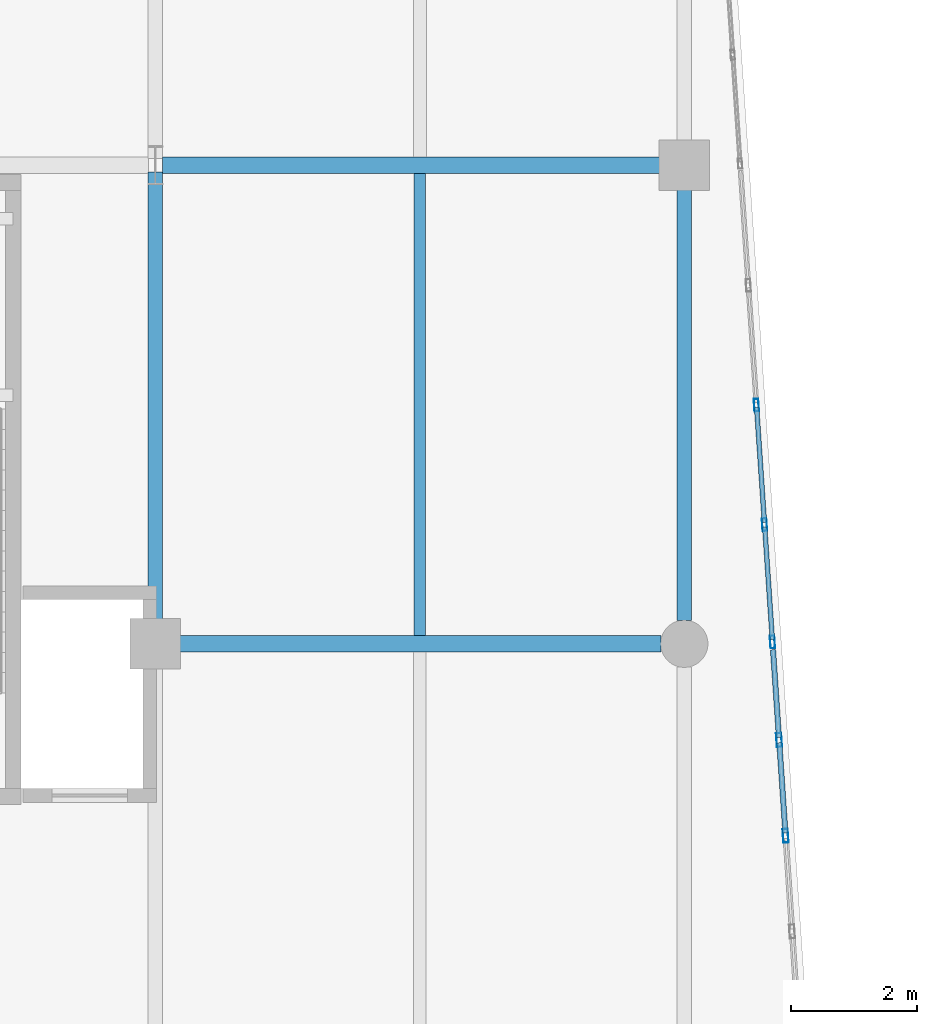
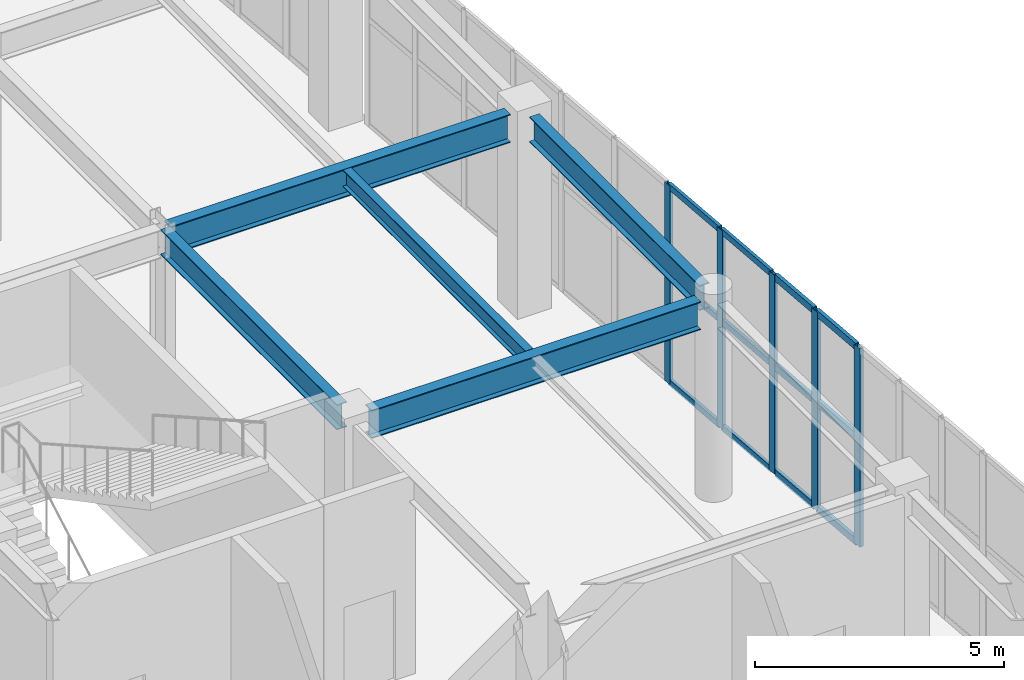
# One storey, part 51 of 128: 17 members, 5 beams, 2 elements without a shape of their own.
"""IFC4 building model written with IfcOpenShell, lengths in metres."""

from ifc_helpers import new_model, si_unit, direction, frame, origin, origin_2d, place, context, subcontext, project, spatial, hollow_rectangle, i_section, extrude, material, layer, layer_set, material_profile, profile_set, type_object, element, aggregate, save


model = new_model("IFC4")

# Units and contexts
model_context = context("Model", 3, precision=1e-05, world=origin(), true_north=direction((0.0, 1.0)))
body_context = subcontext(model_context, "Body", "Model", "MODEL_VIEW")
ifc_project = project(units=[si_unit("LENGTHUNIT", "METRE"), si_unit("AREAUNIT", "SQUARE_METRE"), si_unit("VOLUMEUNIT", "CUBIC_METRE"), si_unit("PLANEANGLEUNIT", "RADIAN"), si_unit("MASSUNIT", "GRAM", prefix="KILO")], contexts=[model_context])

# Site, building, storey
site_placement = place(None, origin())
site = spatial("IfcSite", under=ifc_project, at=site_placement, CompositionType="ELEMENT")
building_placement = place(site_placement, origin())
building = spatial("IfcBuilding", under=site, at=building_placement, Name="Xicomal Pleat Aquarium", CompositionType="ELEMENT")
storey_placement = place(building_placement, frame((0.0, 0.0, 5.39990234375)))
storey = spatial("IfcBuildingStorey", under=building, at=storey_placement, Name="L02", CompositionType="ELEMENT", Elevation=5.39990234375)

# Beams
ifc_material_1 = material(Name="Structural steel A992 Gr 50", Category="steel")
ifc_material_profile_1 = material_profile(ifc_material_1, i_section(OverallWidth=0.180908203125, OverallDepth=0.4169921875, WebThickness=0.010986328125, FlangeThickness=0.018310546875, at=origin_2d()), Name="IR 410x85")
ifc_profile_set_1 = profile_set([ifc_material_profile_1], Name="Structural steel A992 Gr 50")
beam_type_1 = type_object("IfcBeamType", Name="BM-STL-IR410", PredefinedType="JOIST", material=ifc_profile_set_1)
beam_1_placement = place(storey_placement, frame((22.800048828125, 68.531005859375, 4.66650390625), z_axis=(0.0, 1.0, 0.0), x_axis=(-1.0, 0.0, 0.0)))
element("IfcBeam", 1, at=beam_1_placement, inside=storey, type_object=beam_type_1, Name="L02 framing beam FBJ-L02-03-K-1", PredefinedType="JOIST", context=body_context, shape_type="SweptSolid", body=[
    extrude(i_section(OverallWidth=0.180908203125, OverallDepth=0.4169921875, WebThickness=0.010986328125, FlangeThickness=0.018310546875, at=origin_2d()), origin(), (0.0, 0.0, 1.0), 7.337890625),
])
ifc_material_2 = material(Name="Structural steel A992 Gr 50", Category="steel")
ifc_material_profile_2 = material_profile(ifc_material_2, i_section(OverallWidth=0.22998046875, OverallDepth=0.616943359375, WebThickness=0.01318359375, FlangeThickness=0.022216796875, at=origin_2d()), Name="IR 610x140")
ifc_profile_set_2 = profile_set([ifc_material_profile_2], Name="Structural steel A992 Gr 50")
beam_type_2 = type_object("IfcBeamType", Name="BM-STL-IR610", PredefinedType="BEAM", material=ifc_profile_set_2)
beam_2_placement = place(storey_placement, frame((18.60009765625, 68.794921875, 4.566650390625), z_axis=(0.0, 1.0, 0.0), x_axis=(-1.0, 0.0, 0.0)))
element("IfcBeam", 2, at=beam_2_placement, inside=storey, type_object=beam_type_2, Name="L02 framing beam FGY-L02-03-K-L", PredefinedType="BEAM", context=body_context, shape_type="SweptSolid", body=[
    extrude(i_section(OverallWidth=0.22998046875, OverallDepth=0.616943359375, WebThickness=0.01318359375, FlangeThickness=0.022216796875, at=origin_2d()), origin(), (0.0, 0.0, 1.0), 7.094970703125),
])
beam_3_placement = place(storey_placement, frame((27.0, 68.77001953125, 4.566650390625), z_axis=(0.0, 1.0, 0.0), x_axis=(-1.0, 0.0, 0.0)))
element("IfcBeam", 3, at=beam_3_placement, inside=storey, type_object=beam_type_2, Name="L02 framing beam FGY-L02-04-K-L", PredefinedType="BEAM", context=body_context, shape_type="SweptSolid", body=[
    extrude(i_section(OverallWidth=0.22998046875, OverallDepth=0.616943359375, WebThickness=0.01318359375, FlangeThickness=0.022216796875, at=origin_2d()), origin(), (0.0, 0.0, 1.0), 6.8349609375),
])
ifc_material_3 = material(Name="Structural steel A992 Gr 50", Category="steel")
ifc_material_profile_3 = material_profile(ifc_material_3, i_section(OverallWidth=0.256103515625, OverallDepth=0.693115234375, WebThickness=0.014404296875, FlangeThickness=0.023681640625, at=origin_2d()), Name="IR 690x170")
ifc_profile_set_3 = profile_set([ifc_material_profile_3], Name="Structural steel A992 Gr 50")
beam_type_3 = type_object("IfcBeamType", Name="BM-STL-IR690", PredefinedType="BEAM", material=ifc_profile_set_3)
beam_4_placement = place(storey_placement, frame((18.9951171875, 68.39990234375, 4.528564453125), z_axis=(1.0, 0.0, 0.0), x_axis=(0.0, 1.0, 0.0)))
element("IfcBeam", 4, at=beam_4_placement, inside=storey, type_object=beam_type_3, Name="L02 framing beam FGX-L02-03-04-K", PredefinedType="BEAM", context=body_context, shape_type="SweptSolid", body=[
    extrude(i_section(OverallWidth=0.256103515625, OverallDepth=0.693115234375, WebThickness=0.014404296875, FlangeThickness=0.023681640625, at=origin_2d()), origin(), (0.0, 0.0, 1.0), 7.634765625),
])
beam_5_placement = place(storey_placement, frame((18.7099609375, 76.0, 4.528564453125), z_axis=(1.0, 0.0, 0.0), x_axis=(0.0, 1.0, 0.0)))
element("IfcBeam", 5, at=beam_5_placement, inside=storey, type_object=beam_type_3, Name="L02 framing beam FGX-L02-03-04-L", PredefinedType="BEAM", context=body_context, shape_type="SweptSolid", body=[
    extrude(i_section(OverallWidth=0.256103515625, OverallDepth=0.693115234375, WebThickness=0.014404296875, FlangeThickness=0.023681640625, at=origin_2d()), origin(), (0.0, 0.0, 1.0), 7.89501953125),
])

# Curtain wall, members
ifc_material_4 = material(Name="Bronze anodized aluminium 6063-T6", Category="aluminium")
ifc_layer_1 = layer(ifc_material_4, 0.159912109375)
ifc_layer_set_1 = layer_set([ifc_layer_1], Name="Bronze anodized aluminium 6063-T6")
curtain_wall_type_1 = type_object("IfcCurtainWallType", Name="CW-SYS-07", PredefinedType="NOTDEFINED", material=ifc_layer_set_1)
curtain_wall_1_placement = place(storey_placement, origin())
curtain_wall_1 = element("IfcCurtainWall", 6, at=curtain_wall_1_placement, inside=storey, type_object=curtain_wall_type_1, Name="L02 unitised curtain wall CW-L02-133", PredefinedType="NOTDEFINED")
ifc_material_5 = material(Name="Bronze anodized aluminium 6063-T6", Category="aluminium")
ifc_material_profile_4 = material_profile(ifc_material_5, hollow_rectangle(XDim=0.074951171875, YDim=0.199951171875, WallThickness=0.00439453125, at=origin_2d()), Name="ALU MULL 75x200")
ifc_profile_set_4 = profile_set([ifc_material_profile_4], Name="Bronze anodized aluminium 6063-T6")
member_type_1 = type_object("IfcMemberType", Name="CWM-75x200", PredefinedType="MULLION", material=ifc_profile_set_4)
member_1_placement = place(storey_placement, frame((28.14599609375, 72.19091796875, 0.0), z_axis=(0.0, 0.0, 1.0), x_axis=(0.997720800637, 0.067477433092, 0.0)))
member_1 = element("IfcMember", 7, at=member_1_placement, type_object=member_type_1, Name="CW-07 mullion 3", PredefinedType="MULLION", context=body_context, shape_type="SweptSolid", body=[
    extrude(hollow_rectangle(XDim=0.074951171875, YDim=0.199951171875, WallThickness=0.00439453125, at=origin_2d()), origin(), (0.0, 0.0, 1.0), 4.875),
])
member_2_placement = place(storey_placement, frame((28.2744140625, 70.291015625, 0.0), z_axis=(0.0, 0.0, 1.0), x_axis=(0.997720800637, 0.067477433092, 0.0)))
member_2 = element("IfcMember", 8, at=member_2_placement, type_object=member_type_1, Name="CW-07 mullion 4", PredefinedType="MULLION", context=body_context, shape_type="SweptSolid", body=[
    extrude(hollow_rectangle(XDim=0.074951171875, YDim=0.199951171875, WallThickness=0.00439453125, at=origin_2d()), origin(), (0.0, 0.0, 1.0), 4.875),
])
member_3_placement = place(storey_placement, frame((28.400390625, 68.428466796875, 0.0), z_axis=(0.0, 0.0, 1.0), x_axis=(0.997720800637, 0.067477433092, 0.0)))
member_3 = element("IfcMember", 9, at=member_3_placement, type_object=member_type_1, Name="CW-07 mullion 5", PredefinedType="MULLION", context=body_context, shape_type="SweptSolid", body=[
    extrude(hollow_rectangle(XDim=0.074951171875, YDim=0.199951171875, WallThickness=0.00439453125, at=origin_2d()), origin(), (0.0, 0.0, 1.0), 4.875),
])

ifc_material_6 = material(Name="Bronze anodized aluminium 6063-T6", Category="aluminium")
ifc_layer_2 = layer(ifc_material_6, 0.159912109375)
ifc_layer_set_2 = layer_set([ifc_layer_2], Name="Bronze anodized aluminium 6063-T6")
curtain_wall_type_2 = type_object("IfcCurtainWallType", Name="CW-SYS-12", PredefinedType="NOTDEFINED", material=ifc_layer_set_2)
curtain_wall_2_placement = place(storey_placement, origin())
curtain_wall_2 = element("IfcCurtainWall", 10, at=curtain_wall_2_placement, inside=storey, type_object=curtain_wall_type_2, Name="L02 unitised curtain wall CW-L02-134", PredefinedType="NOTDEFINED")
ifc_material_7 = material(Name="Bronze anodized aluminium 6063-T6", Category="aluminium")
ifc_material_profile_5 = material_profile(ifc_material_7, hollow_rectangle(XDim=0.0849609375, YDim=0.219970703125, WallThickness=0.0048828125, at=origin_2d()), Name="ALU MULL 85x220")
ifc_profile_set_5 = profile_set([ifc_material_profile_5], Name="Bronze anodized aluminium 6063-T6")
member_type_2 = type_object("IfcMemberType", Name="CWM-85x220", PredefinedType="MULLION", material=ifc_profile_set_5)
member_4_placement = place(storey_placement, frame((28.505859375, 66.87109375, 0.0), z_axis=(0.0, 0.0, 1.0), x_axis=(0.997720800637, 0.067477433092, 0.0)))
member_4 = element("IfcMember", 11, at=member_4_placement, type_object=member_type_2, Name="CW-12 mullion 2", PredefinedType="MULLION", context=body_context, shape_type="SweptSolid", body=[
    extrude(hollow_rectangle(XDim=0.0849609375, YDim=0.219970703125, WallThickness=0.0048828125, at=origin_2d()), origin(), (0.0, 0.0, 1.0), 4.875),
])
member_5_placement = place(storey_placement, frame((28.608642578125, 65.35107421875, 0.0), z_axis=(0.0, 0.0, 1.0), x_axis=(0.997720800637, 0.067477433092, 0.0)))
member_5 = element("IfcMember", 12, at=member_5_placement, type_object=member_type_2, Name="CW-12 mullion 3", PredefinedType="MULLION", context=body_context, shape_type="SweptSolid", body=[
    extrude(hollow_rectangle(XDim=0.0849609375, YDim=0.219970703125, WallThickness=0.0048828125, at=origin_2d()), origin(), (0.0, 0.0, 1.0), 4.875),
])

# Member
ifc_material_8 = material(Name="Bronze anodized aluminium 6063-T6", Category="aluminium")
ifc_material_profile_6 = material_profile(ifc_material_8, hollow_rectangle(XDim=0.074951171875, YDim=0.14990234375, WallThickness=0.00439453125, at=origin_2d()), Name="ALU TRAN 75x150")
ifc_profile_set_6 = profile_set([ifc_material_profile_6], Name="Bronze anodized aluminium 6063-T6")
member_type_3 = type_object("IfcMemberType", Name="CWT-75x150", PredefinedType="USERDEFINED", material=ifc_profile_set_6)
member_6_placement = place(storey_placement, frame((28.1484375, 72.153564453125, 0.03759765625), z_axis=(0.067528754435, -0.997717328367, 0.0), x_axis=(0.997717328367, 0.067528754435, 0.0)))
member_6 = element("IfcMember", 13, at=member_6_placement, type_object=member_type_3, Name="CW-07 transom 3.1", ObjectType="TRANSOM", PredefinedType="USERDEFINED", context=body_context, shape_type="SweptSolid", body=[
    extrude(hollow_rectangle(XDim=0.074951171875, YDim=0.14990234375, WallThickness=0.00439453125, at=origin_2d()), origin(), (0.0, 0.0, 1.0), 1.829345703125),
])

member_7_placement = place(storey_placement, frame((28.1484375, 72.153564453125, 2.633056640625), z_axis=(0.067528754435, -0.997717328367, 0.0), x_axis=(0.997717328367, 0.067528754435, 0.0)))
member_7 = element("IfcMember", 14, at=member_7_placement, type_object=member_type_3, Name="CW-07 transom 3.2", ObjectType="TRANSOM", PredefinedType="USERDEFINED", context=body_context, shape_type="SweptSolid", body=[
    extrude(hollow_rectangle(XDim=0.074951171875, YDim=0.14990234375, WallThickness=0.00439453125, at=origin_2d()), origin(), (0.0, 0.0, 1.0), 1.829345703125),
])

member_8_placement = place(storey_placement, frame((28.1484375, 72.153564453125, 4.837646484375), z_axis=(0.067528754435, -0.997717328367, 0.0), x_axis=(0.997717328367, 0.067528754435, 0.0)))
member_8 = element("IfcMember", 15, at=member_8_placement, type_object=member_type_3, Name="CW-07 transom 3.3", ObjectType="TRANSOM", PredefinedType="USERDEFINED", context=body_context, shape_type="SweptSolid", body=[
    extrude(hollow_rectangle(XDim=0.074951171875, YDim=0.14990234375, WallThickness=0.00439453125, at=origin_2d()), origin(), (0.0, 0.0, 1.0), 1.829345703125),
])

member_9_placement = place(storey_placement, frame((28.277099609375, 70.253662109375, 0.03759765625), z_axis=(0.067441349717, -0.997723240357, 0.0), x_axis=(0.997723240357, 0.067441349717, 0.0)))
member_9 = element("IfcMember", 16, at=member_9_placement, type_object=member_type_3, Name="CW-07 transom 4.1", ObjectType="TRANSOM", PredefinedType="USERDEFINED", context=body_context, shape_type="SweptSolid", body=[
    extrude(hollow_rectangle(XDim=0.074951171875, YDim=0.14990234375, WallThickness=0.00439453125, at=origin_2d()), origin(), (0.0, 0.0, 1.0), 1.7919921875),
])

member_10_placement = place(storey_placement, frame((28.277099609375, 70.253662109375, 2.633056640625), z_axis=(0.067441349717, -0.997723240357, 0.0), x_axis=(0.997723240357, 0.067441349717, 0.0)))
member_10 = element("IfcMember", 17, at=member_10_placement, type_object=member_type_3, Name="CW-07 transom 4.2", ObjectType="TRANSOM", PredefinedType="USERDEFINED", context=body_context, shape_type="SweptSolid", body=[
    extrude(hollow_rectangle(XDim=0.074951171875, YDim=0.14990234375, WallThickness=0.00439453125, at=origin_2d()), origin(), (0.0, 0.0, 1.0), 1.7919921875),
])

member_11_placement = place(storey_placement, frame((28.277099609375, 70.253662109375, 4.837646484375), z_axis=(0.067441349717, -0.997723240357, 0.0), x_axis=(0.997723240357, 0.067441349717, 0.0)))
member_11 = element("IfcMember", 18, at=member_11_placement, type_object=member_type_3, Name="CW-07 transom 4.3", ObjectType="TRANSOM", PredefinedType="USERDEFINED", context=body_context, shape_type="SweptSolid", body=[
    extrude(hollow_rectangle(XDim=0.074951171875, YDim=0.14990234375, WallThickness=0.00439453125, at=origin_2d()), origin(), (0.0, 0.0, 1.0), 1.7919921875),
])

aggregate(curtain_wall_1, [member_1, member_2, member_3, member_6, member_7, member_8, member_9, member_10, member_11])

ifc_material_9 = material(Name="Bronze anodized aluminium 6063-T6", Category="aluminium")
ifc_material_profile_7 = material_profile(ifc_material_9, hollow_rectangle(XDim=0.0849609375, YDim=0.169921875, WallThickness=0.0048828125, at=origin_2d()), Name="ALU TRAN 85x170")
ifc_profile_set_7 = profile_set([ifc_material_profile_7], Name="Bronze anodized aluminium 6063-T6")
member_type_4 = type_object("IfcMemberType", Name="CWT-85x170", PredefinedType="USERDEFINED", material=ifc_profile_set_7)
member_12_placement = place(storey_placement, frame((28.40869140625, 68.30615234375, 0.04248046875), z_axis=(0.067505607952, -0.997718894727, 0.0), x_axis=(0.997718894727, 0.067505607952, 0.0)))
member_12 = element("IfcMember", 19, at=member_12_placement, type_object=member_type_4, Name="CW-12 transom 1.1", ObjectType="TRANSOM", PredefinedType="USERDEFINED", context=body_context, shape_type="SweptSolid", body=[
    extrude(hollow_rectangle(XDim=0.0849609375, YDim=0.169921875, WallThickness=0.0048828125, at=origin_2d()), origin(), (0.0, 0.0, 1.0), 1.39599609375),
])

member_13_placement = place(storey_placement, frame((28.40869140625, 68.30615234375, 2.633056640625), z_axis=(0.067505607952, -0.997718894727, 0.0), x_axis=(0.997718894727, 0.067505607952, 0.0)))
member_13 = element("IfcMember", 20, at=member_13_placement, type_object=member_type_4, Name="CW-12 transom 1.2", ObjectType="TRANSOM", PredefinedType="USERDEFINED", context=body_context, shape_type="SweptSolid", body=[
    extrude(hollow_rectangle(XDim=0.0849609375, YDim=0.169921875, WallThickness=0.0048828125, at=origin_2d()), origin(), (0.0, 0.0, 1.0), 1.39599609375),
])

member_14_placement = place(storey_placement, frame((28.40869140625, 68.30615234375, 4.83251953125), z_axis=(0.067505607952, -0.997718894727, 0.0), x_axis=(0.997718894727, 0.067505607952, 0.0)))
member_14 = element("IfcMember", 21, at=member_14_placement, type_object=member_type_4, Name="CW-12 transom 1.3", ObjectType="TRANSOM", PredefinedType="USERDEFINED", context=body_context, shape_type="SweptSolid", body=[
    extrude(hollow_rectangle(XDim=0.0849609375, YDim=0.169921875, WallThickness=0.0048828125, at=origin_2d()), origin(), (0.0, 0.0, 1.0), 1.39599609375),
])

member_15_placement = place(storey_placement, frame((28.5087890625, 66.82861328125, 0.04248046875), z_axis=(0.06737504759, -0.997727719853, 0.0), x_axis=(0.997727719853, 0.06737504759, 0.0)))
member_15 = element("IfcMember", 22, at=member_15_placement, type_object=member_type_4, Name="CW-12 transom 2.1", ObjectType="TRANSOM", PredefinedType="USERDEFINED", context=body_context, shape_type="SweptSolid", body=[
    extrude(hollow_rectangle(XDim=0.0849609375, YDim=0.169921875, WallThickness=0.0048828125, at=origin_2d()), origin(), (0.0, 0.0, 1.0), 1.4384765625),
])

member_16_placement = place(storey_placement, frame((28.5087890625, 66.82861328125, 2.633056640625), z_axis=(0.06737504759, -0.997727719853, 0.0), x_axis=(0.997727719853, 0.06737504759, 0.0)))
member_16 = element("IfcMember", 23, at=member_16_placement, type_object=member_type_4, Name="CW-12 transom 2.2", ObjectType="TRANSOM", PredefinedType="USERDEFINED", context=body_context, shape_type="SweptSolid", body=[
    extrude(hollow_rectangle(XDim=0.0849609375, YDim=0.169921875, WallThickness=0.0048828125, at=origin_2d()), origin(), (0.0, 0.0, 1.0), 1.4384765625),
])

member_17_placement = place(storey_placement, frame((28.5087890625, 66.82861328125, 4.83251953125), z_axis=(0.06737504759, -0.997727719853, 0.0), x_axis=(0.997727719853, 0.06737504759, 0.0)))
member_17 = element("IfcMember", 24, at=member_17_placement, type_object=member_type_4, Name="CW-12 transom 2.3", ObjectType="TRANSOM", PredefinedType="USERDEFINED", context=body_context, shape_type="SweptSolid", body=[
    extrude(hollow_rectangle(XDim=0.0849609375, YDim=0.169921875, WallThickness=0.0048828125, at=origin_2d()), origin(), (0.0, 0.0, 1.0), 1.4384765625),
])

aggregate(curtain_wall_2, [member_4, member_5, member_12, member_13, member_14, member_15, member_16, member_17])

save(model, "model.ifc")
